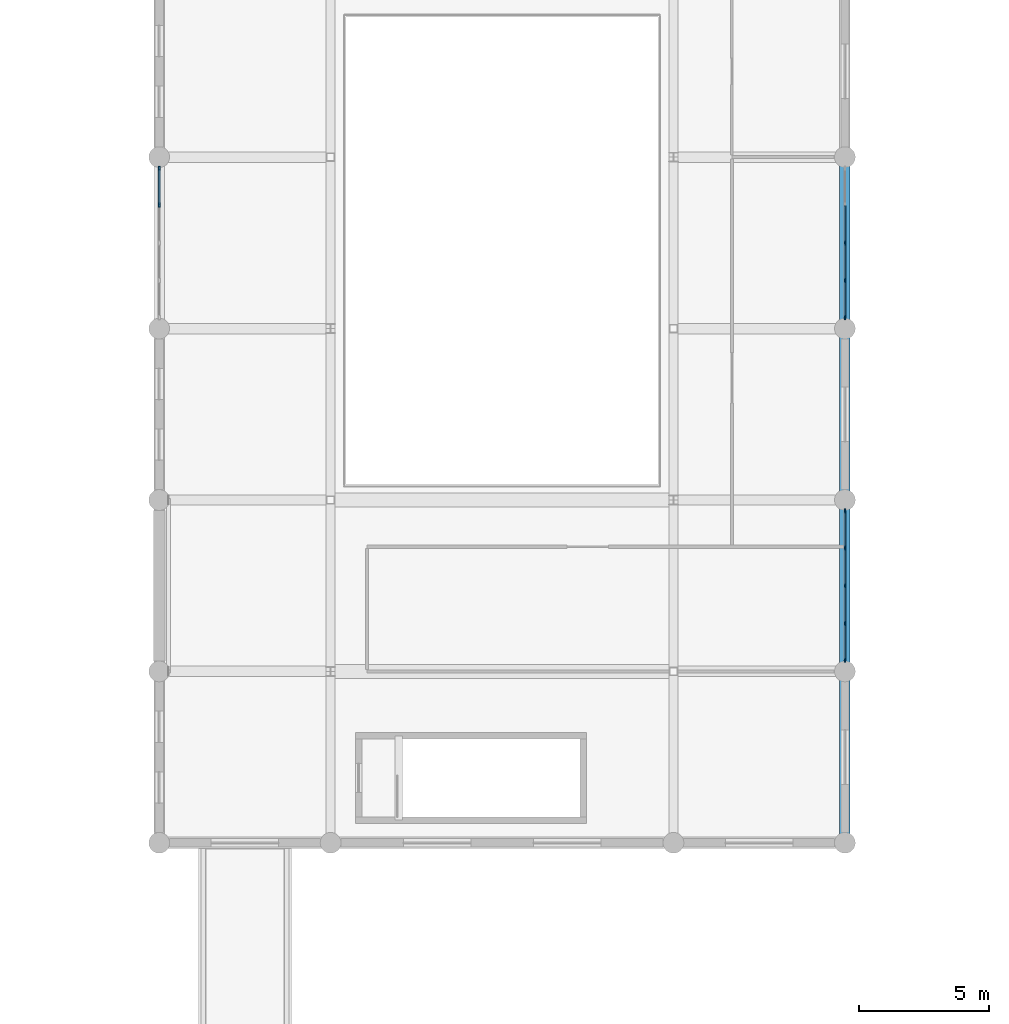
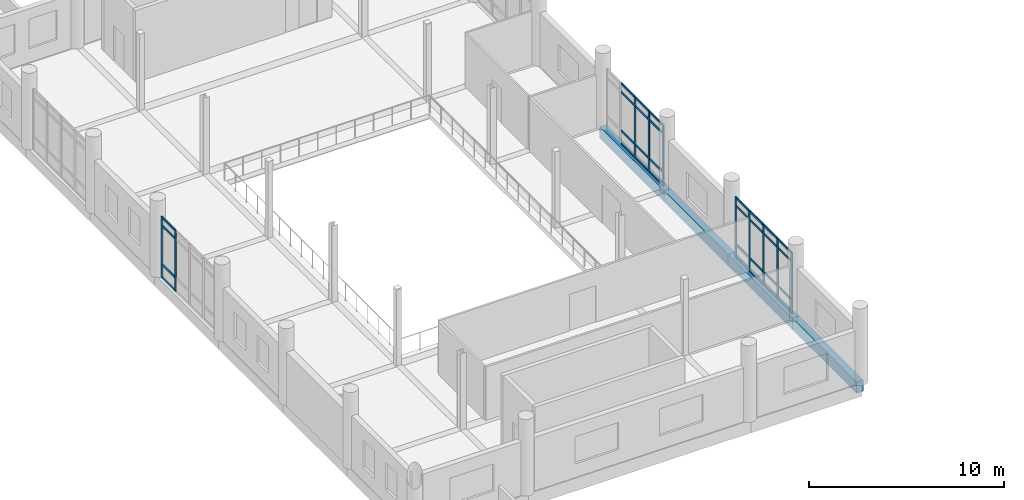
# One storey, part 12 of 76: 42 members, 4 beams, 3 elements without a shape of their own.
"""IFC4 building model written with IfcOpenShell, lengths in metres."""

import ifcopenshell
import ifcopenshell.guid

model = None  # the IFC model being written
_history = None  # IfcOwnerHistory: only IFC2X3 demands one
_inside = {}  # id of a spatial element -> (the spatial element, [elements in it])
_under = {}  # id of a project, library or spatial element -> (it, [spatial elements below it])
_declared = {}  # id of a project -> (the project, [libraries it declares])
_typed = {}  # id of a type object -> (the type object, [elements of that type])
_made_of = {}  # id of a material, layer set ... -> (it, [elements and type objects made of it])


def new_model(schema):
    """Start an empty IFC model of exactly this schema.

    Asked for "IFC4X3", IfcOpenShell would pick the latest addendum, in which some entities
    have other attributes; the version numbers below select the first issue.
    IFC2X3 requires an IfcOwnerHistory on every rooted entity: one is made here for all.
    """
    global model, _history
    if schema == "IFC4X3":
        model = ifcopenshell.file(schema_version=(4, 3, 0, 0))
    else:
        model = ifcopenshell.file(schema=schema)
    _inside.clear()
    _under.clear()
    _declared.clear()
    _typed.clear()
    _made_of.clear()
    _history = None
    if model.schema == "IFC2X3":
        org = make("IfcOrganization", Name="unknown")
        user = make(
            "IfcPersonAndOrganization",
            ThePerson=make("IfcPerson", FamilyName="unknown"),
            TheOrganization=org,
        )
        app = make(
            "IfcApplication",
            ApplicationDeveloper=org,
            Version="unknown",
            ApplicationFullName="unknown",
            ApplicationIdentifier="unknown",
        )
        _history = make(
            "IfcOwnerHistory",
            OwningUser=user,
            OwningApplication=app,
            ChangeAction="ADDED",
            CreationDate=0,
        )
    return model


def make(cls, **values):
    """One entity of the class cls with the attributes given. An attribute that is None is left unset."""
    return model.create_entity(
        cls, **{name: value for name, value in values.items() if value is not None}
    )


def rooted(cls, **values):
    """An entity with a GlobalId (a new one), such as an element, a storey or a relation."""
    return make(cls, GlobalId=ifcopenshell.guid.new(), OwnerHistory=_history, **values)


def si_unit(unit_type, name, prefix=None):
    """IfcSIUnit, for example si_unit("LENGTHUNIT", "METRE", prefix="MILLI")."""
    return make("IfcSIUnit", UnitType=unit_type, Prefix=prefix, Name=name)


def assignment(units):
    """IfcUnitAssignment: the units of a project."""
    return None if units is None else make("IfcUnitAssignment", Units=units)


def point(xyz):
    """IfcCartesianPoint."""
    return None if xyz is None else make("IfcCartesianPoint", Coordinates=xyz)


def direction(xyz):
    """IfcDirection."""
    return None if xyz is None else make("IfcDirection", DirectionRatios=xyz)


def frame(location, z_axis=None, x_axis=None):
    """IfcAxis2Placement3D, a coordinate frame: its origin and axes. An axis left out is left unset."""
    return make(
        "IfcAxis2Placement3D",
        Location=point(location),
        Axis=direction(z_axis),
        RefDirection=direction(x_axis),
    )


def frame_2d(location, x_axis=None):
    """IfcAxis2Placement2D, a coordinate frame in the plane: its origin and x axis."""
    return make(
        "IfcAxis2Placement2D", Location=point(location), RefDirection=direction(x_axis)
    )


def origin():
    """The frame at (0, 0, 0) with its axes left unset."""
    return frame((0.0, 0.0, 0.0))


def origin_2d():
    """The frame at (0, 0) in the plane with its x axis left unset."""
    return frame_2d((0.0, 0.0))


def place(relative_to, where):
    """IfcLocalPlacement: puts the frame where relative to a parent placement (None: the world)."""
    return make(
        "IfcLocalPlacement", PlacementRelTo=relative_to, RelativePlacement=where
    )


def context(
    kind, dimensions, precision=None, world=None, true_north=None, identifier=None
):
    """IfcGeometricRepresentationContext, for example the 3D "Model" context."""
    return make(
        "IfcGeometricRepresentationContext",
        ContextIdentifier=identifier,
        ContextType=kind,
        CoordinateSpaceDimension=dimensions,
        Precision=precision,
        WorldCoordinateSystem=world,
        TrueNorth=true_north,
    )


def subcontext(parent, identifier, kind, view, scale=None):
    """IfcGeometricRepresentationSubContext, for example "Body" below "Model"."""
    return make(
        "IfcGeometricRepresentationSubContext",
        ContextIdentifier=identifier,
        ContextType=kind,
        ParentContext=parent,
        TargetScale=scale,
        TargetView=view,
    )


def project(units=None, contexts=None):
    """IfcProject with its units and contexts."""
    return rooted(
        "IfcProject",
        Name="project",
        RepresentationContexts=contexts,
        UnitsInContext=assignment(units),
    )


def spatial(cls, under=None, at=None, **own):
    """A site, building, storey or space (cls), placed at a placement, below another one or the project."""
    s = rooted(cls, ObjectPlacement=at, **own)
    if under is not None:
        _under.setdefault(under.id(), (under, []))[1].append(s)
    return s


def profile(cls, at=None, kind="AREA", **sizes):
    """A parametric profile (cls). Its sizes go by their IFC names, for example OverallWidth=200.0."""
    return make(cls, ProfileType=kind, Position=at, **sizes)


def rectangle(**sizes):
    """IfcRectangleProfileDef."""
    return profile("IfcRectangleProfileDef", **sizes)


def extrude(swept, where, along, depth):
    """IfcExtrudedAreaSolid: the profile swept, set in the frame where, extruded along a direction by depth."""
    return make(
        "IfcExtrudedAreaSolid",
        SweptArea=swept,
        Position=where,
        ExtrudedDirection=direction(along),
        Depth=depth,
    )


def shape(context_of_items, identifier, shape_type, items):
    """IfcShapeRepresentation: the items that make up one representation, for example the "Body"."""
    return make(
        "IfcShapeRepresentation",
        ContextOfItems=context_of_items,
        RepresentationIdentifier=identifier,
        RepresentationType=shape_type,
        Items=items,
    )


def material(Name=None, Category=None):
    """IfcMaterial."""
    return make("IfcMaterial", Name=Name, Category=Category)


def material_profile(
    of_material, cross_section, Name=None, Category=None, Priority=None
):
    """IfcMaterialProfile: a cross section and its material."""
    return make(
        "IfcMaterialProfile",
        Name=Name,
        Material=of_material,
        Profile=cross_section,
        Priority=Priority,
        Category=Category,
    )


def profile_set(profiles, Name=None, composite=None):
    """IfcMaterialProfileSet."""
    return make(
        "IfcMaterialProfileSet",
        Name=Name,
        MaterialProfiles=profiles,
        CompositeProfile=composite,
    )


def made_of(thing, what):
    """Note that an element or type object is made of a material, layer set ...; save() writes the relation."""
    if what is not None:
        _made_of.setdefault(what.id(), (what, []))[1].append(thing)
    return thing


def type_object(cls, material=None, **own):
    """A type object (cls), such as IfcWallType, which elements share."""
    return made_of(rooted(cls, **own), material)


def element(
    cls,
    number,
    at=None,
    inside=None,
    cuts=None,
    type_object=None,
    material=None,
    context=None,
    identifier="Body",
    shape_type=None,
    held_by="IfcProductDefinitionShape",
    body=None,
    shapes=None,
    **own,
):
    """One element of the class cls, such as IfcWall. Its Tag is "e" and its number.

    at: its placement. inside: the storey or other place that contains it. cuts: it is an
    opening in that element (IfcRelVoidsElement). A single representation is given by context,
    identifier, shape_type and body (its items); several are given by shapes. held_by: the class
    of the entity that holds the representations. save() writes the other relations.
    """
    e = rooted(cls, Tag="e%d" % number, ObjectPlacement=at, **own)
    if body is not None:
        shapes = [shape(context, identifier, shape_type, body)]
    if shapes is not None:
        e.Representation = make(held_by, Representations=shapes)
    if inside is not None:
        _inside.setdefault(inside.id(), (inside, []))[1].append(e)
    if cuts is not None:
        rooted(
            "IfcRelVoidsElement", RelatingBuildingElement=cuts, RelatedOpeningElement=e
        )
    if type_object is not None:
        _typed.setdefault(type_object.id(), (type_object, []))[1].append(e)
    return made_of(e, material)


def aggregate(whole, parts):
    """IfcRelAggregates: a whole, such as a stair, and the parts it consists of."""
    return rooted("IfcRelAggregates", RelatingObject=whole, RelatedObjects=parts)


def save(model, path):
    """Write the relations noted so far, then the file.

    IfcRelAggregates (storeys below a building ...), IfcRelContainedInSpatialStructure (elements
    in a storey), IfcRelDefinesByType, IfcRelAssociatesMaterial and IfcRelDeclares: one each for
    every whole, place, type object, material and project.
    """
    for whole, parts in _under.values():
        aggregate(whole, parts)
    for where, things in _inside.values():
        rooted(
            "IfcRelContainedInSpatialStructure",
            RelatedElements=things,
            RelatingStructure=where,
        )
    for kind, things in _typed.values():
        rooted("IfcRelDefinesByType", RelatedObjects=things, RelatingType=kind)
    for what, things in _made_of.values():
        rooted("IfcRelAssociatesMaterial", RelatedObjects=things, RelatingMaterial=what)
    for by, libraries in _declared.values():
        rooted("IfcRelDeclares", RelatingContext=by, RelatedDefinitions=libraries)
    model.write(path)


model = new_model("IFC4")

# Units and contexts
model_context = context("Model", 3, precision=1e-05, world=origin(), true_north=direction((0.0, 1.0)))
body_context = subcontext(model_context, "Body", "Model", "MODEL_VIEW")
ifc_project = project(units=[si_unit("LENGTHUNIT", "METRE"), si_unit("AREAUNIT", "SQUARE_METRE"), si_unit("VOLUMEUNIT", "CUBIC_METRE"), si_unit("PLANEANGLEUNIT", "RADIAN"), si_unit("MASSUNIT", "GRAM", prefix="KILO")], contexts=[model_context])

# Site, building, storey
site_placement = place(None, origin())
site = spatial("IfcSite", under=ifc_project, at=site_placement, CompositionType="ELEMENT")
building_placement = place(site_placement, origin())
building = spatial("IfcBuilding", under=site, at=building_placement, Name="Dornvale Research Institute", CompositionType="ELEMENT")
storey_placement = place(building_placement, frame((0.0, 0.0, 15.0)))
storey = spatial("IfcBuildingStorey", under=building, at=storey_placement, Name="L03", CompositionType="ELEMENT", Elevation=15.0)

# Curtain wall, members
ifc_material_1 = material(Name="Low-E Argon Double Insulating Glazing Unit", Category="glass")
curtain_wall_type = type_object("IfcCurtainWallType", Name="UnitisedCurtainWall_V2_5810x3820", PredefinedType="USERDEFINED", material=ifc_material_1)
curtain_wall_1_placement = place(storey_placement, origin())
curtain_wall_1 = element("IfcCurtainWall", 1, at=curtain_wall_1_placement, inside=storey, type_object=curtain_wall_type, Name="L03 V2 unitised curtain wall CW-03 #15", ObjectType="UNITISED CURTAIN WALL", PredefinedType="USERDEFINED")
ifc_material_2 = material(Name="Anodized Aluminum AA 6063-T6 Thermally Broken Frame", Category="aluminium")
ifc_material_profile_1 = material_profile(ifc_material_2, rectangle(XDim=0.06494140625, YDim=0.1650390625, at=origin_2d()), Name="ALU MULLION 65x165")
ifc_profile_set_1 = profile_set([ifc_material_profile_1], Name="Anodized Aluminum AA 6063-T6 Thermally Broken Frame")
member_type_1 = type_object("IfcMemberType", Name="Mullion_Atrium_65x165", PredefinedType="MULLION", material=ifc_profile_set_1)
member_1_placement = place(storey_placement, frame((39.60009765625, 64.152587890625, 0.0), z_axis=(0.0, 0.0, 1.0), x_axis=(-1.0, 0.0, 0.0)))
member_1 = element("IfcMember", 2, at=member_1_placement, type_object=member_type_1, Name="CW-03 mullion 4", PredefinedType="MULLION", context=body_context, shape_type="SweptSolid", body=[
    extrude(rectangle(XDim=0.06494140625, YDim=0.1650390625, at=origin_2d()), origin(), (0.0, 0.0, 1.0), 3.820068359375),
])
member_2_placement = place(storey_placement, frame((39.60009765625, 65.572509765625, 0.0), z_axis=(0.0, 0.0, 1.0), x_axis=(-1.0, 0.0, 0.0)))
member_2 = element("IfcMember", 3, at=member_2_placement, type_object=member_type_1, Name="CW-03 mullion 5", PredefinedType="MULLION", context=body_context, shape_type="SweptSolid", body=[
    extrude(rectangle(XDim=0.06494140625, YDim=0.1650390625, at=origin_2d()), origin(), (0.0, 0.0, 1.0), 3.820068359375),
])

curtain_wall_2_placement = place(storey_placement, origin())
curtain_wall_2 = element("IfcCurtainWall", 4, at=curtain_wall_2_placement, inside=storey, type_object=curtain_wall_type, Name="L03 V2 unitised curtain wall CW-03 #18", ObjectType="UNITISED CURTAIN WALL", PredefinedType="USERDEFINED")
member_3_placement = place(storey_placement, frame((66.0, 62.699951171875, 0.0), z_axis=(0.0, 0.0, 1.0), x_axis=(1.0, 0.0, 0.0)))
member_3 = element("IfcMember", 5, at=member_3_placement, type_object=member_type_1, Name="CW-03 mullion 3", PredefinedType="MULLION", context=body_context, shape_type="SweptSolid", body=[
    extrude(rectangle(XDim=0.06494140625, YDim=0.1650390625, at=origin_2d()), origin(), (0.0, 0.0, 1.0), 3.820068359375),
])
member_4_placement = place(storey_placement, frame((66.0, 61.24755859375, 0.0), z_axis=(0.0, 0.0, 1.0), x_axis=(1.0, 0.0, 0.0)))
member_4 = element("IfcMember", 6, at=member_4_placement, type_object=member_type_1, Name="CW-03 mullion 4", PredefinedType="MULLION", context=body_context, shape_type="SweptSolid", body=[
    extrude(rectangle(XDim=0.06494140625, YDim=0.1650390625, at=origin_2d()), origin(), (0.0, 0.0, 1.0), 3.820068359375),
])
member_5_placement = place(storey_placement, frame((66.0, 59.827392578125, 0.0), z_axis=(0.0, 0.0, 1.0), x_axis=(1.0, 0.0, 0.0)))
member_5 = element("IfcMember", 7, at=member_5_placement, type_object=member_type_1, Name="CW-03 mullion 5", PredefinedType="MULLION", context=body_context, shape_type="SweptSolid", body=[
    extrude(rectangle(XDim=0.06494140625, YDim=0.1650390625, at=origin_2d()), origin(), (0.0, 0.0, 1.0), 3.820068359375),
])

curtain_wall_3_placement = place(storey_placement, origin())
curtain_wall_3 = element("IfcCurtainWall", 8, at=curtain_wall_3_placement, inside=storey, type_object=curtain_wall_type, Name="L03 V2 unitised curtain wall CW-03 #19", ObjectType="UNITISED CURTAIN WALL", PredefinedType="USERDEFINED")
member_6_placement = place(storey_placement, frame((66.0, 52.37255859375, 0.0), z_axis=(0.0, 0.0, 1.0), x_axis=(1.0, 0.0, 0.0)))
member_6 = element("IfcMember", 9, at=member_6_placement, type_object=member_type_1, Name="CW-03 mullion 1", PredefinedType="MULLION", context=body_context, shape_type="SweptSolid", body=[
    extrude(rectangle(XDim=0.06494140625, YDim=0.1650390625, at=origin_2d()), origin(), (0.0, 0.0, 1.0), 3.820068359375),
])
member_7_placement = place(storey_placement, frame((66.0, 50.952392578125, 0.0), z_axis=(0.0, 0.0, 1.0), x_axis=(1.0, 0.0, 0.0)))
member_7 = element("IfcMember", 10, at=member_7_placement, type_object=member_type_1, Name="CW-03 mullion 2", PredefinedType="MULLION", context=body_context, shape_type="SweptSolid", body=[
    extrude(rectangle(XDim=0.06494140625, YDim=0.1650390625, at=origin_2d()), origin(), (0.0, 0.0, 1.0), 3.820068359375),
])
member_8_placement = place(storey_placement, frame((66.0, 49.5, 0.0), z_axis=(0.0, 0.0, 1.0), x_axis=(1.0, 0.0, 0.0)))
member_8 = element("IfcMember", 11, at=member_8_placement, type_object=member_type_1, Name="CW-03 mullion 3", PredefinedType="MULLION", context=body_context, shape_type="SweptSolid", body=[
    extrude(rectangle(XDim=0.06494140625, YDim=0.1650390625, at=origin_2d()), origin(), (0.0, 0.0, 1.0), 3.820068359375),
])
member_9_placement = place(storey_placement, frame((66.0, 48.047607421875, 0.0), z_axis=(0.0, 0.0, 1.0), x_axis=(1.0, 0.0, 0.0)))
member_9 = element("IfcMember", 12, at=member_9_placement, type_object=member_type_1, Name="CW-03 mullion 4", PredefinedType="MULLION", context=body_context, shape_type="SweptSolid", body=[
    extrude(rectangle(XDim=0.06494140625, YDim=0.1650390625, at=origin_2d()), origin(), (0.0, 0.0, 1.0), 3.820068359375),
])
member_10_placement = place(storey_placement, frame((66.0, 46.62744140625, 0.0), z_axis=(0.0, 0.0, 1.0), x_axis=(1.0, 0.0, 0.0)))
member_10 = element("IfcMember", 13, at=member_10_placement, type_object=member_type_1, Name="CW-03 mullion 5", PredefinedType="MULLION", context=body_context, shape_type="SweptSolid", body=[
    extrude(rectangle(XDim=0.06494140625, YDim=0.1650390625, at=origin_2d()), origin(), (0.0, 0.0, 1.0), 3.820068359375),
])

# Beams
ifc_material_3 = material(Name="Concrete f'c 45 MPa (C35/45)", Category="concrete")
ifc_material_profile_2 = material_profile(ifc_material_3, rectangle(XDim=0.39990234375, YDim=0.699951171875, at=origin_2d()), Name="RC 400x700")
ifc_profile_set_2 = profile_set([ifc_material_profile_2], Name="Concrete f'c 45 MPa (C35/45)")
beam_type = type_object("IfcBeamType", Name="Spandrel_RC400x700_Ext", PredefinedType="SPANDREL", material=ifc_profile_set_2)
beam_1_placement = place(storey_placement, frame((66.0, 39.60009765625, -0.35009765625), z_axis=(0.0, 1.0, 0.0), x_axis=(-1.0, 0.0, 0.0)))
element("IfcBeam", 14, at=beam_1_placement, inside=storey, type_object=beam_type, Name="L03 perimeter spandrel #1107", PredefinedType="SPANDREL", context=body_context, shape_type="SweptSolid", body=[
    extrude(rectangle(XDim=0.39990234375, YDim=0.699951171875, at=origin_2d()), origin(), (0.0, 0.0, 1.0), 6.599853515625),
])
beam_2_placement = place(storey_placement, frame((66.0, 46.199951171875, -0.35009765625), z_axis=(0.0, 1.0, 0.0), x_axis=(-1.0, 0.0, 0.0)))
element("IfcBeam", 15, at=beam_2_placement, inside=storey, type_object=beam_type, Name="L03 perimeter spandrel #1108", PredefinedType="SPANDREL", context=body_context, shape_type="SweptSolid", body=[
    extrude(rectangle(XDim=0.39990234375, YDim=0.699951171875, at=origin_2d()), origin(), (0.0, 0.0, 1.0), 6.60009765625),
])
beam_3_placement = place(storey_placement, frame((66.0, 52.800048828125, -0.35009765625), z_axis=(0.0, 1.0, 0.0), x_axis=(-1.0, 0.0, 0.0)))
element("IfcBeam", 16, at=beam_3_placement, inside=storey, type_object=beam_type, Name="L03 perimeter spandrel #1109", PredefinedType="SPANDREL", context=body_context, shape_type="SweptSolid", body=[
    extrude(rectangle(XDim=0.39990234375, YDim=0.699951171875, at=origin_2d()), origin(), (0.0, 0.0, 1.0), 6.599853515625),
])
beam_4_placement = place(storey_placement, frame((66.0, 59.39990234375, -0.35009765625), z_axis=(0.0, 1.0, 0.0), x_axis=(-1.0, 0.0, 0.0)))
element("IfcBeam", 17, at=beam_4_placement, inside=storey, type_object=beam_type, Name="L03 perimeter spandrel #1110", PredefinedType="SPANDREL", context=body_context, shape_type="SweptSolid", body=[
    extrude(rectangle(XDim=0.39990234375, YDim=0.699951171875, at=origin_2d()), origin(), (0.0, 0.0, 1.0), 6.60009765625),
])

# Member
ifc_material_4 = material(Name="Anodized Aluminum AA 6063-T6 Thermally Broken Frame", Category="aluminium")
ifc_material_profile_3 = material_profile(ifc_material_4, rectangle(XDim=0.06494140625, YDim=0.135009765625, at=origin_2d()), Name="ALU TRANSOM 65x135")
ifc_profile_set_3 = profile_set([ifc_material_profile_3], Name="Anodized Aluminum AA 6063-T6 Thermally Broken Frame")
member_type_2 = type_object("IfcMemberType", Name="Transom_CW_65x135", PredefinedType="USERDEFINED", material=ifc_profile_set_3)
member_11_placement = place(storey_placement, frame((39.60009765625, 64.18505859375, 0.032470703125), z_axis=(0.0, 1.0, 0.0), x_axis=(-1.0, 0.0, 0.0)))
member_11 = element("IfcMember", 18, at=member_11_placement, type_object=member_type_2, Name="CW-03 transom 4.1", ObjectType="TRANSOM", PredefinedType="USERDEFINED", context=body_context, shape_type="SweptSolid", body=[
    extrude(rectangle(XDim=0.06494140625, YDim=0.135009765625, at=origin_2d()), origin(), (0.0, 0.0, 1.0), 1.35498046875),
])

member_12_placement = place(storey_placement, frame((39.60009765625, 64.18505859375, 0.85009765625), z_axis=(0.0, 1.0, 0.0), x_axis=(-1.0, 0.0, 0.0)))
member_12 = element("IfcMember", 19, at=member_12_placement, type_object=member_type_2, Name="CW-03 transom 4.2", ObjectType="TRANSOM", PredefinedType="USERDEFINED", context=body_context, shape_type="SweptSolid", body=[
    extrude(rectangle(XDim=0.06494140625, YDim=0.135009765625, at=origin_2d()), origin(), (0.0, 0.0, 1.0), 1.35498046875),
])

member_13_placement = place(storey_placement, frame((39.60009765625, 64.18505859375, 3.27001953125), z_axis=(0.0, 1.0, 0.0), x_axis=(-1.0, 0.0, 0.0)))
member_13 = element("IfcMember", 20, at=member_13_placement, type_object=member_type_2, Name="CW-03 transom 4.3", ObjectType="TRANSOM", PredefinedType="USERDEFINED", context=body_context, shape_type="SweptSolid", body=[
    extrude(rectangle(XDim=0.06494140625, YDim=0.135009765625, at=origin_2d()), origin(), (0.0, 0.0, 1.0), 1.35498046875),
])

member_14_placement = place(storey_placement, frame((39.60009765625, 64.18505859375, 3.78759765625), z_axis=(0.0, 1.0, 0.0), x_axis=(-1.0, 0.0, 0.0)))
member_14 = element("IfcMember", 21, at=member_14_placement, type_object=member_type_2, Name="CW-03 transom 4.4", ObjectType="TRANSOM", PredefinedType="USERDEFINED", context=body_context, shape_type="SweptSolid", body=[
    extrude(rectangle(XDim=0.06494140625, YDim=0.135009765625, at=origin_2d()), origin(), (0.0, 0.0, 1.0), 1.35498046875),
])

aggregate(curtain_wall_1, [member_1, member_2, member_11, member_12, member_13, member_14])

member_15_placement = place(storey_placement, frame((66.0, 64.1201171875, 0.032470703125), z_axis=(0.0, -1.0, 0.0), x_axis=(1.0, 0.0, 0.0)))
member_15 = element("IfcMember", 22, at=member_15_placement, type_object=member_type_2, Name="CW-03 transom 2.1", ObjectType="TRANSOM", PredefinedType="USERDEFINED", context=body_context, shape_type="SweptSolid", body=[
    extrude(rectangle(XDim=0.06494140625, YDim=0.135009765625, at=origin_2d()), origin(), (0.0, 0.0, 1.0), 1.3876953125),
])

member_16_placement = place(storey_placement, frame((66.0, 64.1201171875, 0.85009765625), z_axis=(0.0, -1.0, 0.0), x_axis=(1.0, 0.0, 0.0)))
member_16 = element("IfcMember", 23, at=member_16_placement, type_object=member_type_2, Name="CW-03 transom 2.2", ObjectType="TRANSOM", PredefinedType="USERDEFINED", context=body_context, shape_type="SweptSolid", body=[
    extrude(rectangle(XDim=0.06494140625, YDim=0.135009765625, at=origin_2d()), origin(), (0.0, 0.0, 1.0), 1.3876953125),
])

member_17_placement = place(storey_placement, frame((66.0, 64.1201171875, 3.27001953125), z_axis=(0.0, -1.0, 0.0), x_axis=(1.0, 0.0, 0.0)))
member_17 = element("IfcMember", 24, at=member_17_placement, type_object=member_type_2, Name="CW-03 transom 2.3", ObjectType="TRANSOM", PredefinedType="USERDEFINED", context=body_context, shape_type="SweptSolid", body=[
    extrude(rectangle(XDim=0.06494140625, YDim=0.135009765625, at=origin_2d()), origin(), (0.0, 0.0, 1.0), 1.3876953125),
])

member_18_placement = place(storey_placement, frame((66.0, 64.1201171875, 3.78759765625), z_axis=(0.0, -1.0, 0.0), x_axis=(1.0, 0.0, 0.0)))
member_18 = element("IfcMember", 25, at=member_18_placement, type_object=member_type_2, Name="CW-03 transom 2.4", ObjectType="TRANSOM", PredefinedType="USERDEFINED", context=body_context, shape_type="SweptSolid", body=[
    extrude(rectangle(XDim=0.06494140625, YDim=0.135009765625, at=origin_2d()), origin(), (0.0, 0.0, 1.0), 1.3876953125),
])

member_19_placement = place(storey_placement, frame((66.0, 62.66748046875, 0.032470703125), z_axis=(0.0, -1.0, 0.0), x_axis=(1.0, 0.0, 0.0)))
member_19 = element("IfcMember", 26, at=member_19_placement, type_object=member_type_2, Name="CW-03 transom 3.1", ObjectType="TRANSOM", PredefinedType="USERDEFINED", context=body_context, shape_type="SweptSolid", body=[
    extrude(rectangle(XDim=0.06494140625, YDim=0.135009765625, at=origin_2d()), origin(), (0.0, 0.0, 1.0), 1.387451171875),
])

member_20_placement = place(storey_placement, frame((66.0, 62.66748046875, 0.85009765625), z_axis=(0.0, -1.0, 0.0), x_axis=(1.0, 0.0, 0.0)))
member_20 = element("IfcMember", 27, at=member_20_placement, type_object=member_type_2, Name="CW-03 transom 3.2", ObjectType="TRANSOM", PredefinedType="USERDEFINED", context=body_context, shape_type="SweptSolid", body=[
    extrude(rectangle(XDim=0.06494140625, YDim=0.135009765625, at=origin_2d()), origin(), (0.0, 0.0, 1.0), 1.387451171875),
])

member_21_placement = place(storey_placement, frame((66.0, 62.66748046875, 3.27001953125), z_axis=(0.0, -1.0, 0.0), x_axis=(1.0, 0.0, 0.0)))
member_21 = element("IfcMember", 28, at=member_21_placement, type_object=member_type_2, Name="CW-03 transom 3.3", ObjectType="TRANSOM", PredefinedType="USERDEFINED", context=body_context, shape_type="SweptSolid", body=[
    extrude(rectangle(XDim=0.06494140625, YDim=0.135009765625, at=origin_2d()), origin(), (0.0, 0.0, 1.0), 1.387451171875),
])

member_22_placement = place(storey_placement, frame((66.0, 62.66748046875, 3.78759765625), z_axis=(0.0, -1.0, 0.0), x_axis=(1.0, 0.0, 0.0)))
member_22 = element("IfcMember", 29, at=member_22_placement, type_object=member_type_2, Name="CW-03 transom 3.4", ObjectType="TRANSOM", PredefinedType="USERDEFINED", context=body_context, shape_type="SweptSolid", body=[
    extrude(rectangle(XDim=0.06494140625, YDim=0.135009765625, at=origin_2d()), origin(), (0.0, 0.0, 1.0), 1.387451171875),
])

member_23_placement = place(storey_placement, frame((66.0, 61.215087890625, 0.032470703125), z_axis=(0.0, -1.0, 0.0), x_axis=(1.0, 0.0, 0.0)))
member_23 = element("IfcMember", 30, at=member_23_placement, type_object=member_type_2, Name="CW-03 transom 4.1", ObjectType="TRANSOM", PredefinedType="USERDEFINED", context=body_context, shape_type="SweptSolid", body=[
    extrude(rectangle(XDim=0.06494140625, YDim=0.135009765625, at=origin_2d()), origin(), (0.0, 0.0, 1.0), 1.35498046875),
])

member_24_placement = place(storey_placement, frame((66.0, 61.215087890625, 0.85009765625), z_axis=(0.0, -1.0, 0.0), x_axis=(1.0, 0.0, 0.0)))
member_24 = element("IfcMember", 31, at=member_24_placement, type_object=member_type_2, Name="CW-03 transom 4.2", ObjectType="TRANSOM", PredefinedType="USERDEFINED", context=body_context, shape_type="SweptSolid", body=[
    extrude(rectangle(XDim=0.06494140625, YDim=0.135009765625, at=origin_2d()), origin(), (0.0, 0.0, 1.0), 1.35498046875),
])

member_25_placement = place(storey_placement, frame((66.0, 61.215087890625, 3.27001953125), z_axis=(0.0, -1.0, 0.0), x_axis=(1.0, 0.0, 0.0)))
member_25 = element("IfcMember", 32, at=member_25_placement, type_object=member_type_2, Name="CW-03 transom 4.3", ObjectType="TRANSOM", PredefinedType="USERDEFINED", context=body_context, shape_type="SweptSolid", body=[
    extrude(rectangle(XDim=0.06494140625, YDim=0.135009765625, at=origin_2d()), origin(), (0.0, 0.0, 1.0), 1.35498046875),
])

member_26_placement = place(storey_placement, frame((66.0, 61.215087890625, 3.78759765625), z_axis=(0.0, -1.0, 0.0), x_axis=(1.0, 0.0, 0.0)))
member_26 = element("IfcMember", 33, at=member_26_placement, type_object=member_type_2, Name="CW-03 transom 4.4", ObjectType="TRANSOM", PredefinedType="USERDEFINED", context=body_context, shape_type="SweptSolid", body=[
    extrude(rectangle(XDim=0.06494140625, YDim=0.135009765625, at=origin_2d()), origin(), (0.0, 0.0, 1.0), 1.35498046875),
])

aggregate(curtain_wall_2, [member_3, member_4, member_5, member_15, member_16, member_17, member_18, member_19, member_20, member_21, member_22, member_23, member_24, member_25, member_26])

member_27_placement = place(storey_placement, frame((66.0, 52.340087890625, 0.032470703125), z_axis=(0.0, -1.0, 0.0), x_axis=(1.0, 0.0, 0.0)))
member_27 = element("IfcMember", 34, at=member_27_placement, type_object=member_type_2, Name="CW-03 transom 1.1", ObjectType="TRANSOM", PredefinedType="USERDEFINED", context=body_context, shape_type="SweptSolid", body=[
    extrude(rectangle(XDim=0.06494140625, YDim=0.135009765625, at=origin_2d()), origin(), (0.0, 0.0, 1.0), 1.35498046875),
])

member_28_placement = place(storey_placement, frame((66.0, 52.340087890625, 0.85009765625), z_axis=(0.0, -1.0, 0.0), x_axis=(1.0, 0.0, 0.0)))
member_28 = element("IfcMember", 35, at=member_28_placement, type_object=member_type_2, Name="CW-03 transom 1.2", ObjectType="TRANSOM", PredefinedType="USERDEFINED", context=body_context, shape_type="SweptSolid", body=[
    extrude(rectangle(XDim=0.06494140625, YDim=0.135009765625, at=origin_2d()), origin(), (0.0, 0.0, 1.0), 1.35498046875),
])

member_29_placement = place(storey_placement, frame((66.0, 52.340087890625, 3.27001953125), z_axis=(0.0, -1.0, 0.0), x_axis=(1.0, 0.0, 0.0)))
member_29 = element("IfcMember", 36, at=member_29_placement, type_object=member_type_2, Name="CW-03 transom 1.3", ObjectType="TRANSOM", PredefinedType="USERDEFINED", context=body_context, shape_type="SweptSolid", body=[
    extrude(rectangle(XDim=0.06494140625, YDim=0.135009765625, at=origin_2d()), origin(), (0.0, 0.0, 1.0), 1.35498046875),
])

member_30_placement = place(storey_placement, frame((66.0, 52.340087890625, 3.78759765625), z_axis=(0.0, -1.0, 0.0), x_axis=(1.0, 0.0, 0.0)))
member_30 = element("IfcMember", 37, at=member_30_placement, type_object=member_type_2, Name="CW-03 transom 1.4", ObjectType="TRANSOM", PredefinedType="USERDEFINED", context=body_context, shape_type="SweptSolid", body=[
    extrude(rectangle(XDim=0.06494140625, YDim=0.135009765625, at=origin_2d()), origin(), (0.0, 0.0, 1.0), 1.35498046875),
])

member_31_placement = place(storey_placement, frame((66.0, 50.919921875, 0.032470703125), z_axis=(0.0, -1.0, 0.0), x_axis=(1.0, 0.0, 0.0)))
member_31 = element("IfcMember", 38, at=member_31_placement, type_object=member_type_2, Name="CW-03 transom 2.1", ObjectType="TRANSOM", PredefinedType="USERDEFINED", context=body_context, shape_type="SweptSolid", body=[
    extrude(rectangle(XDim=0.06494140625, YDim=0.135009765625, at=origin_2d()), origin(), (0.0, 0.0, 1.0), 1.387451171875),
])

member_32_placement = place(storey_placement, frame((66.0, 50.919921875, 0.85009765625), z_axis=(0.0, -1.0, 0.0), x_axis=(1.0, 0.0, 0.0)))
member_32 = element("IfcMember", 39, at=member_32_placement, type_object=member_type_2, Name="CW-03 transom 2.2", ObjectType="TRANSOM", PredefinedType="USERDEFINED", context=body_context, shape_type="SweptSolid", body=[
    extrude(rectangle(XDim=0.06494140625, YDim=0.135009765625, at=origin_2d()), origin(), (0.0, 0.0, 1.0), 1.387451171875),
])

member_33_placement = place(storey_placement, frame((66.0, 50.919921875, 3.27001953125), z_axis=(0.0, -1.0, 0.0), x_axis=(1.0, 0.0, 0.0)))
member_33 = element("IfcMember", 40, at=member_33_placement, type_object=member_type_2, Name="CW-03 transom 2.3", ObjectType="TRANSOM", PredefinedType="USERDEFINED", context=body_context, shape_type="SweptSolid", body=[
    extrude(rectangle(XDim=0.06494140625, YDim=0.135009765625, at=origin_2d()), origin(), (0.0, 0.0, 1.0), 1.387451171875),
])

member_34_placement = place(storey_placement, frame((66.0, 50.919921875, 3.78759765625), z_axis=(0.0, -1.0, 0.0), x_axis=(1.0, 0.0, 0.0)))
member_34 = element("IfcMember", 41, at=member_34_placement, type_object=member_type_2, Name="CW-03 transom 2.4", ObjectType="TRANSOM", PredefinedType="USERDEFINED", context=body_context, shape_type="SweptSolid", body=[
    extrude(rectangle(XDim=0.06494140625, YDim=0.135009765625, at=origin_2d()), origin(), (0.0, 0.0, 1.0), 1.387451171875),
])

member_35_placement = place(storey_placement, frame((66.0, 49.467529296875, 0.032470703125), z_axis=(0.0, -1.0, 0.0), x_axis=(1.0, 0.0, 0.0)))
member_35 = element("IfcMember", 42, at=member_35_placement, type_object=member_type_2, Name="CW-03 transom 3.1", ObjectType="TRANSOM", PredefinedType="USERDEFINED", context=body_context, shape_type="SweptSolid", body=[
    extrude(rectangle(XDim=0.06494140625, YDim=0.135009765625, at=origin_2d()), origin(), (0.0, 0.0, 1.0), 1.387451171875),
])

member_36_placement = place(storey_placement, frame((66.0, 49.467529296875, 0.85009765625), z_axis=(0.0, -1.0, 0.0), x_axis=(1.0, 0.0, 0.0)))
member_36 = element("IfcMember", 43, at=member_36_placement, type_object=member_type_2, Name="CW-03 transom 3.2", ObjectType="TRANSOM", PredefinedType="USERDEFINED", context=body_context, shape_type="SweptSolid", body=[
    extrude(rectangle(XDim=0.06494140625, YDim=0.135009765625, at=origin_2d()), origin(), (0.0, 0.0, 1.0), 1.387451171875),
])

member_37_placement = place(storey_placement, frame((66.0, 49.467529296875, 3.27001953125), z_axis=(0.0, -1.0, 0.0), x_axis=(1.0, 0.0, 0.0)))
member_37 = element("IfcMember", 44, at=member_37_placement, type_object=member_type_2, Name="CW-03 transom 3.3", ObjectType="TRANSOM", PredefinedType="USERDEFINED", context=body_context, shape_type="SweptSolid", body=[
    extrude(rectangle(XDim=0.06494140625, YDim=0.135009765625, at=origin_2d()), origin(), (0.0, 0.0, 1.0), 1.387451171875),
])

member_38_placement = place(storey_placement, frame((66.0, 49.467529296875, 3.78759765625), z_axis=(0.0, -1.0, 0.0), x_axis=(1.0, 0.0, 0.0)))
member_38 = element("IfcMember", 45, at=member_38_placement, type_object=member_type_2, Name="CW-03 transom 3.4", ObjectType="TRANSOM", PredefinedType="USERDEFINED", context=body_context, shape_type="SweptSolid", body=[
    extrude(rectangle(XDim=0.06494140625, YDim=0.135009765625, at=origin_2d()), origin(), (0.0, 0.0, 1.0), 1.387451171875),
])

member_39_placement = place(storey_placement, frame((66.0, 48.014892578125, 0.032470703125), z_axis=(0.0, -1.0, 0.0), x_axis=(1.0, 0.0, 0.0)))
member_39 = element("IfcMember", 46, at=member_39_placement, type_object=member_type_2, Name="CW-03 transom 4.1", ObjectType="TRANSOM", PredefinedType="USERDEFINED", context=body_context, shape_type="SweptSolid", body=[
    extrude(rectangle(XDim=0.06494140625, YDim=0.135009765625, at=origin_2d()), origin(), (0.0, 0.0, 1.0), 1.35498046875),
])

member_40_placement = place(storey_placement, frame((66.0, 48.014892578125, 0.85009765625), z_axis=(0.0, -1.0, 0.0), x_axis=(1.0, 0.0, 0.0)))
member_40 = element("IfcMember", 47, at=member_40_placement, type_object=member_type_2, Name="CW-03 transom 4.2", ObjectType="TRANSOM", PredefinedType="USERDEFINED", context=body_context, shape_type="SweptSolid", body=[
    extrude(rectangle(XDim=0.06494140625, YDim=0.135009765625, at=origin_2d()), origin(), (0.0, 0.0, 1.0), 1.35498046875),
])

member_41_placement = place(storey_placement, frame((66.0, 48.014892578125, 3.27001953125), z_axis=(0.0, -1.0, 0.0), x_axis=(1.0, 0.0, 0.0)))
member_41 = element("IfcMember", 48, at=member_41_placement, type_object=member_type_2, Name="CW-03 transom 4.3", ObjectType="TRANSOM", PredefinedType="USERDEFINED", context=body_context, shape_type="SweptSolid", body=[
    extrude(rectangle(XDim=0.06494140625, YDim=0.135009765625, at=origin_2d()), origin(), (0.0, 0.0, 1.0), 1.35498046875),
])

member_42_placement = place(storey_placement, frame((66.0, 48.014892578125, 3.78759765625), z_axis=(0.0, -1.0, 0.0), x_axis=(1.0, 0.0, 0.0)))
member_42 = element("IfcMember", 49, at=member_42_placement, type_object=member_type_2, Name="CW-03 transom 4.4", ObjectType="TRANSOM", PredefinedType="USERDEFINED", context=body_context, shape_type="SweptSolid", body=[
    extrude(rectangle(XDim=0.06494140625, YDim=0.135009765625, at=origin_2d()), origin(), (0.0, 0.0, 1.0), 1.35498046875),
])

aggregate(curtain_wall_3, [member_6, member_7, member_8, member_9, member_10, member_27, member_28, member_29, member_30, member_31, member_32, member_33, member_34, member_35, member_36, member_37, member_38, member_39, member_40, member_41, member_42])

save(model, "model.ifc")
